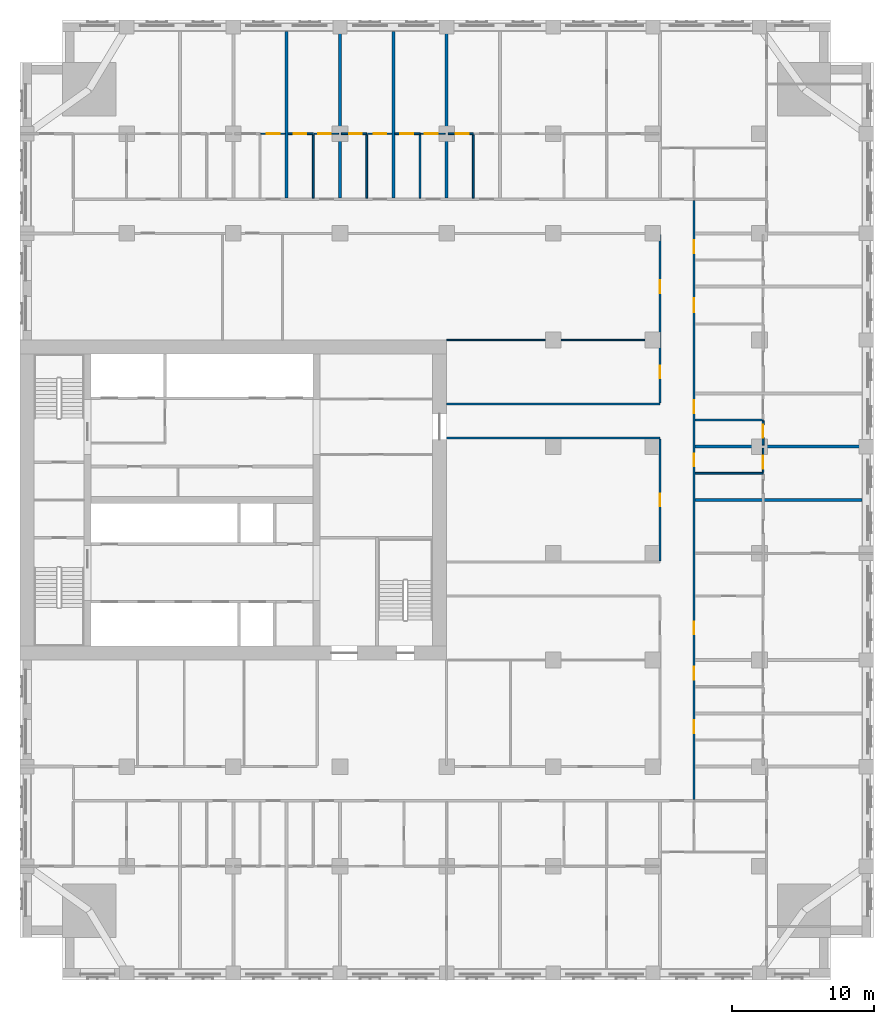
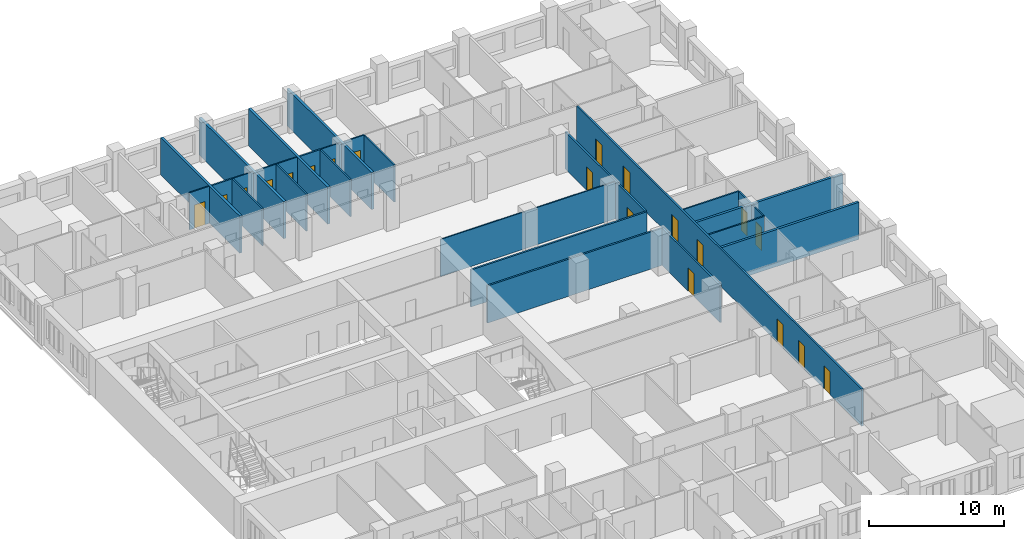
# One storey, part 10 of 15: 28 walls, 20 doors, 20 openings.
"""IFC4 building model written with IfcOpenShell, lengths in metres."""

from ifc_helpers import new_model, si_unit, direction, frame, frame_2d, origin, place, context, subcontext, project, spatial, rectangle, extrude, material, layer, layer_set, type_object, element, fill, save


model = new_model("IFC4")

# Units and contexts
model_context = context("Model", 3, precision=1e-05, world=origin(), true_north=direction((0.0, 1.0)))
body_context = subcontext(model_context, "Body", "Model", "MODEL_VIEW")
ifc_project = project(units=[si_unit("LENGTHUNIT", "METRE"), si_unit("AREAUNIT", "SQUARE_METRE"), si_unit("VOLUMEUNIT", "CUBIC_METRE"), si_unit("PLANEANGLEUNIT", "RADIAN"), si_unit("MASSUNIT", "GRAM", prefix="KILO")], contexts=[model_context])

# Site, building, storey
site_placement = place(None, origin())
site = spatial("IfcSite", under=ifc_project, at=site_placement, CompositionType="ELEMENT")
building_placement = place(site_placement, origin())
building = spatial("IfcBuilding", under=site, at=building_placement, Name="Tamorin Gate", CompositionType="ELEMENT")
storey_placement = place(building_placement, frame((0.0, 0.0, 111.5)))
storey = spatial("IfcBuildingStorey", under=building, at=storey_placement, Name="L27", CompositionType="ELEMENT", Elevation=111.5)

# Wall, opening, door
ifc_material_1 = material(Name="Gypsum board partition")
ifc_layer_1 = layer(ifc_material_1, 0.14990234375)
ifc_layer_set_1 = layer_set([ifc_layer_1], Name="Corridor wall 150")
wall_type_1 = type_object("IfcWallType", Name="Corridor wall 150", PredefinedType="PARTITIONING", material=ifc_layer_set_1)
wall_1_placement = place(storey_placement, frame((75.0, 66.97509765625, 0.0), z_axis=(0.0, 0.0, 1.0), x_axis=(0.0, 1.0, 0.0)))
wall_1 = element("IfcWall", 1, at=wall_1_placement, inside=storey, type_object=wall_type_1, Name="Corridor wall 150", PredefinedType="PARTITIONING", context=body_context, shape_type="SweptSolid", body=[
    extrude(rectangle(XDim=8.5498046875, YDim=0.14990234375, at=frame_2d((4.27490234375, 0.0))), origin(), (0.0, 0.0, 1.0), 3.35009765625),
])
opening_1_placement = place(wall_1_placement, frame((3.824951171875, 0.0, 0.0)))
opening_1 = element("IfcOpeningElement", 2, at=opening_1_placement, cuts=wall_1, Name="Opening DH6096", PredefinedType="OPENING", context=body_context, shape_type="SweptSolid", body=[
    extrude(rectangle(XDim=0.89990234375, YDim=2.10009765625, at=frame_2d((0.449951171875, 1.050048828125))), frame((0.0, 0.0849609375, 0.0), z_axis=(0.0, -1.0, 0.0), x_axis=(1.0, 0.0, 0.0)), (0.0, 0.0, 1.0), 0.169921875),
])
ifc_material_2 = material(Name="Timber door leaf", Category="wood")
door_type_1 = type_object("IfcDoorType", Name="Door 900 x 2100 FD30S", OperationType="NOTDEFINED", PredefinedType="DOOR", material=ifc_material_2)
door_1_placement = place(opening_1_placement, origin())
door_1 = element("IfcDoor", 3, at=door_1_placement, inside=storey, type_object=door_type_1, Name="Door DH6096", OperationType="SINGLE_SWING_LEFT", OverallHeight=2.10009765625, OverallWidth=0.89990234375, PredefinedType="DOOR", context=body_context, shape_type="SweptSolid", body=[
    extrude(rectangle(XDim=0.89990234375, YDim=2.10009765625, at=frame_2d((0.449951171875, 1.050048828125))), frame((0.0, 0.02490234375, 0.0), z_axis=(0.0, -1.0, 0.0), x_axis=(1.0, 0.0, 0.0)), (0.0, 0.0, 1.0), 0.050048828125),
])
fill(opening_1, door_1)

# Wall, openings, doors
wall_2_placement = place(storey_placement, frame((75.0, 78.074951171875, 0.0), z_axis=(0.0, 0.0, 1.0), x_axis=(0.0, 1.0, 0.0)))
wall_2 = element("IfcWall", 4, at=wall_2_placement, inside=storey, type_object=wall_type_1, Name="Corridor wall 150", PredefinedType="PARTITIONING", context=body_context, shape_type="SweptSolid", body=[
    extrude(rectangle(XDim=11.85009765625, YDim=0.14990234375, at=frame_2d((5.925048828125, 0.0))), origin(), (0.0, 0.0, 1.0), 3.35009765625),
])
opening_2_placement = place(wall_2_placement, frame((7.72509765625, 0.0, 0.0)))
opening_2 = element("IfcOpeningElement", 5, at=opening_2_placement, cuts=wall_2, Name="Opening DH6094", PredefinedType="OPENING", context=body_context, shape_type="SweptSolid", body=[
    extrude(rectangle(XDim=0.89990234375, YDim=2.10009765625, at=frame_2d((0.449951171875, 1.050048828125))), frame((0.0, 0.0849609375, 0.0), z_axis=(0.0, -1.0, 0.0), x_axis=(1.0, 0.0, 0.0)), (0.0, 0.0, 1.0), 0.169921875),
])
opening_3_placement = place(wall_2_placement, frame((1.72509765625, 0.0, 0.0)))
opening_3 = element("IfcOpeningElement", 6, at=opening_3_placement, cuts=wall_2, Name="Opening DH6097", PredefinedType="OPENING", context=body_context, shape_type="SweptSolid", body=[
    extrude(rectangle(XDim=0.89990234375, YDim=2.10009765625, at=frame_2d((0.449951171875, 1.050048828125))), frame((0.0, 0.0849609375, 0.0), z_axis=(0.0, -1.0, 0.0), x_axis=(1.0, 0.0, 0.0)), (0.0, 0.0, 1.0), 0.169921875),
])
door_2_placement = place(opening_2_placement, origin())
door_2 = element("IfcDoor", 7, at=door_2_placement, inside=storey, type_object=door_type_1, Name="Door DH6094", OperationType="SINGLE_SWING_LEFT", OverallHeight=2.10009765625, OverallWidth=0.89990234375, PredefinedType="DOOR", context=body_context, shape_type="SweptSolid", body=[
    extrude(rectangle(XDim=0.89990234375, YDim=2.10009765625, at=frame_2d((0.449951171875, 1.050048828125))), frame((0.0, 0.02490234375, 0.0), z_axis=(0.0, -1.0, 0.0), x_axis=(1.0, 0.0, 0.0)), (0.0, 0.0, 1.0), 0.050048828125),
])
fill(opening_2, door_2)
door_3_placement = place(opening_3_placement, origin())
door_3 = element("IfcDoor", 8, at=door_3_placement, inside=storey, type_object=door_type_1, Name="Door DH6097", OperationType="SINGLE_SWING_LEFT", OverallHeight=2.10009765625, OverallWidth=0.89990234375, PredefinedType="DOOR", context=body_context, shape_type="SweptSolid", body=[
    extrude(rectangle(XDim=0.89990234375, YDim=2.10009765625, at=frame_2d((0.449951171875, 1.050048828125))), frame((0.0, 0.02490234375, 0.0), z_axis=(0.0, -1.0, 0.0), x_axis=(1.0, 0.0, 0.0)), (0.0, 0.0, 1.0), 0.050048828125),
])
fill(opening_3, door_3)

wall_3_placement = place(storey_placement, frame((77.39990234375, 50.175048828125, 0.0), z_axis=(0.0, 0.0, 1.0), x_axis=(0.0, 1.0, 0.0)))
wall_3 = element("IfcWall", 9, at=wall_3_placement, inside=storey, type_object=wall_type_1, Name="Corridor wall 150", PredefinedType="PARTITIONING", context=body_context, shape_type="SweptSolid", body=[
    extrude(rectangle(XDim=42.14990234375, YDim=0.14990234375, at=frame_2d((21.074951171875, 0.0))), origin(), (0.0, 0.0, 1.0), 3.35009765625),
])
opening_4_placement = place(wall_3_placement, frame((4.6875, 0.0, 0.0)))
opening_4 = element("IfcOpeningElement", 10, at=opening_4_placement, cuts=wall_3, Name="Opening DH6052", PredefinedType="OPENING", context=body_context, shape_type="SweptSolid", body=[
    extrude(rectangle(XDim=0.89990234375, YDim=2.10009765625, at=frame_2d((0.449951171875, 1.050048828125))), frame((0.0, 0.0849609375, 0.0), z_axis=(0.0, -1.0, 0.0), x_axis=(1.0, 0.0, 0.0)), (0.0, 0.0, 1.0), 0.169921875),
])
opening_5_placement = place(wall_3_placement, frame((8.4375, 0.0, 0.0)))
opening_5 = element("IfcOpeningElement", 11, at=opening_5_placement, cuts=wall_3, Name="Opening DH6055", PredefinedType="OPENING", context=body_context, shape_type="SweptSolid", body=[
    extrude(rectangle(XDim=0.89990234375, YDim=2.10009765625, at=frame_2d((0.449951171875, 1.050048828125))), frame((0.0, 0.0849609375, 0.0), z_axis=(0.0, -1.0, 0.0), x_axis=(1.0, 0.0, 0.0)), (0.0, 0.0, 1.0), 0.169921875),
])
opening_6_placement = place(wall_3_placement, frame((11.625, 0.0, 0.0)))
opening_6 = element("IfcOpeningElement", 12, at=opening_6_placement, cuts=wall_3, Name="Opening DH6057", PredefinedType="OPENING", context=body_context, shape_type="SweptSolid", body=[
    extrude(rectangle(XDim=0.89990234375, YDim=2.10009765625, at=frame_2d((0.449951171875, 1.050048828125))), frame((0.0, 0.0849609375, 0.0), z_axis=(0.0, -1.0, 0.0), x_axis=(1.0, 0.0, 0.0)), (0.0, 0.0, 1.0), 0.169921875),
])
opening_7_placement = place(wall_3_placement, frame((23.4375, 0.0, 0.0)))
opening_7 = element("IfcOpeningElement", 13, at=opening_7_placement, cuts=wall_3, Name="Opening DH6063", PredefinedType="OPENING", context=body_context, shape_type="SweptSolid", body=[
    extrude(rectangle(XDim=0.89990234375, YDim=2.10009765625, at=frame_2d((0.449951171875, 1.050048828125))), frame((0.0, 0.0849609375, 0.0), z_axis=(0.0, -1.0, 0.0), x_axis=(1.0, 0.0, 0.0)), (0.0, 0.0, 1.0), 0.169921875),
])
opening_8_placement = place(wall_3_placement, frame((27.1875, 0.0, 0.0)))
opening_8 = element("IfcOpeningElement", 14, at=opening_8_placement, cuts=wall_3, Name="Opening DH6066", PredefinedType="OPENING", context=body_context, shape_type="SweptSolid", body=[
    extrude(rectangle(XDim=0.89990234375, YDim=2.10009765625, at=frame_2d((0.449951171875, 1.050048828125))), frame((0.0, 0.0849609375, 0.0), z_axis=(0.0, -1.0, 0.0), x_axis=(1.0, 0.0, 0.0)), (0.0, 0.0, 1.0), 0.169921875),
])
opening_9_placement = place(wall_3_placement, frame((34.262451171875, 0.0, 0.0)))
opening_9 = element("IfcOpeningElement", 15, at=opening_9_placement, cuts=wall_3, Name="Opening DH6069", PredefinedType="OPENING", context=body_context, shape_type="SweptSolid", body=[
    extrude(rectangle(XDim=1.0, YDim=2.10009765625, at=frame_2d((0.5, 1.050048828125))), frame((0.0, 0.0849609375, 0.0), z_axis=(0.0, -1.0, 0.0), x_axis=(1.0, 0.0, 0.0)), (0.0, 0.0, 1.0), 0.169921875),
])
opening_10_placement = place(wall_3_placement, frame((38.4375, 0.0, 0.0)))
opening_10 = element("IfcOpeningElement", 16, at=opening_10_placement, cuts=wall_3, Name="Opening DH6072", PredefinedType="OPENING", context=body_context, shape_type="SweptSolid", body=[
    extrude(rectangle(XDim=0.89990234375, YDim=2.10009765625, at=frame_2d((0.449951171875, 1.050048828125))), frame((0.0, 0.0849609375, 0.0), z_axis=(0.0, -1.0, 0.0), x_axis=(1.0, 0.0, 0.0)), (0.0, 0.0, 1.0), 0.169921875),
])
door_type_2 = type_object("IfcDoorType", Name="Door 1000 x 2100 FD30S", OperationType="NOTDEFINED", PredefinedType="DOOR", material=ifc_material_2)
door_4_placement = place(opening_9_placement, origin())
door_4 = element("IfcDoor", 17, at=door_4_placement, inside=storey, type_object=door_type_2, Name="Door DH6069", OperationType="SINGLE_SWING_RIGHT", OverallHeight=2.10009765625, OverallWidth=1.0, PredefinedType="DOOR", context=body_context, shape_type="SweptSolid", body=[
    extrude(rectangle(XDim=1.0, YDim=2.10009765625, at=frame_2d((0.5, 1.050048828125))), frame((0.0, 0.02490234375, 0.0), z_axis=(0.0, -1.0, 0.0), x_axis=(1.0, 0.0, 0.0)), (0.0, 0.0, 1.0), 0.050048828125),
])
fill(opening_9, door_4)
door_5_placement = place(opening_4_placement, origin())
door_5 = element("IfcDoor", 18, at=door_5_placement, inside=storey, type_object=door_type_1, Name="Door DH6052", OperationType="SINGLE_SWING_RIGHT", OverallHeight=2.10009765625, OverallWidth=0.89990234375, PredefinedType="DOOR", context=body_context, shape_type="SweptSolid", body=[
    extrude(rectangle(XDim=0.89990234375, YDim=2.10009765625, at=frame_2d((0.449951171875, 1.050048828125))), frame((0.0, 0.02490234375, 0.0), z_axis=(0.0, -1.0, 0.0), x_axis=(1.0, 0.0, 0.0)), (0.0, 0.0, 1.0), 0.050048828125),
])
fill(opening_4, door_5)
door_6_placement = place(opening_5_placement, origin())
door_6 = element("IfcDoor", 19, at=door_6_placement, inside=storey, type_object=door_type_1, Name="Door DH6055", OperationType="SINGLE_SWING_RIGHT", OverallHeight=2.10009765625, OverallWidth=0.89990234375, PredefinedType="DOOR", context=body_context, shape_type="SweptSolid", body=[
    extrude(rectangle(XDim=0.89990234375, YDim=2.10009765625, at=frame_2d((0.449951171875, 1.050048828125))), frame((0.0, 0.02490234375, 0.0), z_axis=(0.0, -1.0, 0.0), x_axis=(1.0, 0.0, 0.0)), (0.0, 0.0, 1.0), 0.050048828125),
])
fill(opening_5, door_6)
door_7_placement = place(opening_6_placement, origin())
door_7 = element("IfcDoor", 20, at=door_7_placement, inside=storey, type_object=door_type_1, Name="Door DH6057", OperationType="SINGLE_SWING_RIGHT", OverallHeight=2.10009765625, OverallWidth=0.89990234375, PredefinedType="DOOR", context=body_context, shape_type="SweptSolid", body=[
    extrude(rectangle(XDim=0.89990234375, YDim=2.10009765625, at=frame_2d((0.449951171875, 1.050048828125))), frame((0.0, 0.02490234375, 0.0), z_axis=(0.0, -1.0, 0.0), x_axis=(1.0, 0.0, 0.0)), (0.0, 0.0, 1.0), 0.050048828125),
])
fill(opening_6, door_7)
door_8_placement = place(opening_7_placement, origin())
door_8 = element("IfcDoor", 21, at=door_8_placement, inside=storey, type_object=door_type_1, Name="Door DH6063", OperationType="SINGLE_SWING_RIGHT", OverallHeight=2.10009765625, OverallWidth=0.89990234375, PredefinedType="DOOR", context=body_context, shape_type="SweptSolid", body=[
    extrude(rectangle(XDim=0.89990234375, YDim=2.10009765625, at=frame_2d((0.449951171875, 1.050048828125))), frame((0.0, 0.02490234375, 0.0), z_axis=(0.0, -1.0, 0.0), x_axis=(1.0, 0.0, 0.0)), (0.0, 0.0, 1.0), 0.050048828125),
])
fill(opening_7, door_8)
door_9_placement = place(opening_8_placement, origin())
door_9 = element("IfcDoor", 22, at=door_9_placement, inside=storey, type_object=door_type_1, Name="Door DH6066", OperationType="SINGLE_SWING_RIGHT", OverallHeight=2.10009765625, OverallWidth=0.89990234375, PredefinedType="DOOR", context=body_context, shape_type="SweptSolid", body=[
    extrude(rectangle(XDim=0.89990234375, YDim=2.10009765625, at=frame_2d((0.449951171875, 1.050048828125))), frame((0.0, 0.02490234375, 0.0), z_axis=(0.0, -1.0, 0.0), x_axis=(1.0, 0.0, 0.0)), (0.0, 0.0, 1.0), 0.050048828125),
])
fill(opening_8, door_9)
door_10_placement = place(opening_10_placement, origin())
door_10 = element("IfcDoor", 23, at=door_10_placement, inside=storey, type_object=door_type_1, Name="Door DH6072", OperationType="SINGLE_SWING_RIGHT", OverallHeight=2.10009765625, OverallWidth=0.89990234375, PredefinedType="DOOR", context=body_context, shape_type="SweptSolid", body=[
    extrude(rectangle(XDim=0.89990234375, YDim=2.10009765625, at=frame_2d((0.449951171875, 1.050048828125))), frame((0.0, 0.02490234375, 0.0), z_axis=(0.0, -1.0, 0.0), x_axis=(1.0, 0.0, 0.0)), (0.0, 0.0, 1.0), 0.050048828125),
])
fill(opening_10, door_10)

# Walls
ifc_layer_2 = layer(ifc_material_1, 0.199951171875)
ifc_layer_set_2 = layer_set([ifc_layer_2], Name="Demising wall 200")
wall_type_2 = type_object("IfcWallType", Name="Demising wall 200", PredefinedType="PARTITIONING", material=ifc_layer_set_2)
wall_4_placement = place(storey_placement, frame((77.47509765625, 71.25, 0.0), z_axis=(0.0, 0.0, 1.0), x_axis=(1.0, 0.0, 0.0)))
element("IfcWall", 24, at=wall_4_placement, inside=storey, type_object=wall_type_2, Name="Demising wall 200", PredefinedType="PARTITIONING", context=body_context, shape_type="SweptSolid", body=[
    extrude(rectangle(XDim=11.71484375, YDim=0.199951171875, at=frame_2d((5.857421875, 0.0))), origin(), (0.0, 0.0, 1.0), 3.35009765625),
])
wall_5_placement = place(storey_placement, frame((77.47509765625, 75.0, 0.0), z_axis=(0.0, 0.0, 1.0), x_axis=(1.0, 0.0, 0.0)))
element("IfcWall", 25, at=wall_5_placement, inside=storey, type_object=wall_type_2, Name="Demising wall 200", PredefinedType="PARTITIONING", context=body_context, shape_type="SweptSolid", body=[
    extrude(rectangle(XDim=12.52490234375, YDim=0.199951171875, at=frame_2d((6.262451171875, 0.0))), origin(), (0.0, 0.0, 1.0), 3.35009765625),
])
wall_6_placement = place(storey_placement, frame((48.75, 92.47509765625, 0.0), z_axis=(0.0, 0.0, 1.0), x_axis=(0.0, 1.0, 0.0)))
element("IfcWall", 26, at=wall_6_placement, inside=storey, type_object=wall_type_2, Name="Demising wall 200", PredefinedType="PARTITIONING", context=body_context, shape_type="SweptSolid", body=[
    extrude(rectangle(XDim=11.71484375, YDim=0.199951171875, at=frame_2d((5.857421875, 0.0))), origin(), (0.0, 0.0, 1.0), 3.35009765625),
])
wall_7_placement = place(storey_placement, frame((52.5, 92.47509765625, 0.0), z_axis=(0.0, 0.0, 1.0), x_axis=(0.0, 1.0, 0.0)))
element("IfcWall", 27, at=wall_7_placement, inside=storey, type_object=wall_type_2, Name="Demising wall 200", PredefinedType="PARTITIONING", context=body_context, shape_type="SweptSolid", body=[
    extrude(rectangle(XDim=12.52490234375, YDim=0.199951171875, at=frame_2d((6.262451171875, 0.0))), origin(), (0.0, 0.0, 1.0), 3.35009765625),
])
wall_8_placement = place(storey_placement, frame((56.25, 92.47509765625, 0.0), z_axis=(0.0, 0.0, 1.0), x_axis=(0.0, 1.0, 0.0)))
element("IfcWall", 28, at=wall_8_placement, inside=storey, type_object=wall_type_2, Name="Demising wall 200", PredefinedType="PARTITIONING", context=body_context, shape_type="SweptSolid", body=[
    extrude(rectangle(XDim=11.71484375, YDim=0.199951171875, at=frame_2d((5.857421875, 0.0))), origin(), (0.0, 0.0, 1.0), 3.35009765625),
])
wall_9_placement = place(storey_placement, frame((60.0, 92.47509765625, 0.0), z_axis=(0.0, 0.0, 1.0), x_axis=(0.0, 1.0, 0.0)))
element("IfcWall", 29, at=wall_9_placement, inside=storey, type_object=wall_type_2, Name="Demising wall 200", PredefinedType="PARTITIONING", context=body_context, shape_type="SweptSolid", body=[
    extrude(rectangle(XDim=12.52490234375, YDim=0.199951171875, at=frame_2d((6.262451171875, 0.0))), origin(), (0.0, 0.0, 1.0), 3.35009765625),
])
ifc_layer_3 = layer(ifc_material_1, 0.14990234375)
ifc_layer_set_3 = layer_set([ifc_layer_3], Name="Lobby wall 150")
wall_type_3 = type_object("IfcWallType", Name="Lobby wall 150", PredefinedType="PARTITIONING", material=ifc_layer_set_3)
for number, where, z_axis, x_axis, name in (
    (30, (60.0, 75.60009765625, 0.0), (0.0, 0.0, 1.0), (1.0, 0.0, 0.0), "Lobby wall 150"),
    (31, (60.0, 78.0, 0.0), (0.0, 0.0, 1.0), (1.0, 0.0, 0.0), "Lobby wall 150"),
):
    element("IfcWall", number, at=place(storey_placement, frame(where, z_axis=z_axis, x_axis=x_axis)), inside=storey, type_object=wall_type_3, Name=name, PredefinedType="PARTITIONING", context=body_context, shape_type="SweptSolid", body=[
        extrude(rectangle(XDim=15.0, YDim=0.14990234375, at=frame_2d((7.5, 0.0))), origin(), (0.0, 0.0, 1.0), 3.35009765625),
    ])
ifc_layer_4 = layer(ifc_material_1, 0.10009765625)
ifc_layer_set_4 = layer_set([ifc_layer_4], Name="Room partition 100")
wall_type_4 = type_object("IfcWallType", Name="Room partition 100", PredefinedType="PARTITIONING", material=ifc_layer_set_4)
wall_10_placement = place(storey_placement, frame((60.0, 82.5, 0.0), z_axis=(0.0, 0.0, 1.0), x_axis=(1.0, 0.0, 0.0)))
element("IfcWall", 32, at=wall_10_placement, inside=storey, type_object=wall_type_4, Name="Room partition 100", PredefinedType="PARTITIONING", context=body_context, shape_type="SweptSolid", body=[
    extrude(rectangle(XDim=14.925048828125, YDim=0.10009765625, at=frame_2d((7.46240234375, 0.0))), origin(), (0.0, 0.0, 1.0), 3.35009765625),
])

# Wall, opening, door
wall_11_placement = place(storey_placement, frame((46.9375, 97.0, 0.0), z_axis=(0.0, 0.0, 1.0), x_axis=(1.0, 0.0, 0.0)))
wall_11 = element("IfcWall", 33, at=wall_11_placement, inside=storey, type_object=wall_type_4, Name="Room partition 100", PredefinedType="PARTITIONING", context=body_context, shape_type="SweptSolid", body=[
    extrude(rectangle(XDim=1.71240234375, YDim=0.10009765625, at=frame_2d((0.856201171875, 0.0))), origin(), (0.0, 0.0, 1.0), 3.35009765625),
])
opening_11_placement = place(wall_11_placement, frame((0.425048828125, 0.0, 0.0)))
opening_11 = element("IfcOpeningElement", 34, at=opening_11_placement, cuts=wall_11, Name="Opening DH6033", PredefinedType="OPENING", context=body_context, shape_type="SweptSolid", body=[
    extrude(rectangle(XDim=0.89990234375, YDim=2.10009765625, at=frame_2d((0.449951171875, 1.050048828125))), frame((0.0, 0.06005859375, 0.0), z_axis=(0.0, -1.0, 0.0), x_axis=(1.0, 0.0, 0.0)), (0.0, 0.0, 1.0), 0.1201171875),
])
door_type_3 = type_object("IfcDoorType", Name="Door 900 x 2100", OperationType="NOTDEFINED", PredefinedType="DOOR", material=ifc_material_2)
door_11_placement = place(opening_11_placement, origin())
door_11 = element("IfcDoor", 35, at=door_11_placement, inside=storey, type_object=door_type_3, Name="Door DH6033", OperationType="SINGLE_SWING_RIGHT", OverallHeight=2.10009765625, OverallWidth=0.89990234375, PredefinedType="DOOR", context=body_context, shape_type="SweptSolid", body=[
    extrude(rectangle(XDim=0.89990234375, YDim=2.10009765625, at=frame_2d((0.449951171875, 1.050048828125))), frame((0.0, 0.02490234375, 0.0), z_axis=(0.0, -1.0, 0.0), x_axis=(1.0, 0.0, 0.0)), (0.0, 0.0, 1.0), 0.050048828125),
])
fill(opening_11, door_11)

wall_12_placement = place(storey_placement, frame((50.6875, 97.0, 0.0), z_axis=(0.0, 0.0, 1.0), x_axis=(1.0, 0.0, 0.0)))
wall_12 = element("IfcWall", 36, at=wall_12_placement, inside=storey, type_object=wall_type_4, Name="Room partition 100", PredefinedType="PARTITIONING", context=body_context, shape_type="SweptSolid", body=[
    extrude(rectangle(XDim=1.71240234375, YDim=0.10009765625, at=frame_2d((0.856201171875, 0.0))), origin(), (0.0, 0.0, 1.0), 3.35009765625),
])
opening_12_placement = place(wall_12_placement, frame((0.27490234375, 0.0, 0.0)))
opening_12 = element("IfcOpeningElement", 37, at=opening_12_placement, cuts=wall_12, Name="Opening DH6036", PredefinedType="OPENING", context=body_context, shape_type="SweptSolid", body=[
    extrude(rectangle(XDim=0.89990234375, YDim=2.10009765625, at=frame_2d((0.449951171875, 1.050048828125))), frame((0.0, 0.06005859375, 0.0), z_axis=(0.0, -1.0, 0.0), x_axis=(1.0, 0.0, 0.0)), (0.0, 0.0, 1.0), 0.1201171875),
])
door_12_placement = place(opening_12_placement, origin())
door_12 = element("IfcDoor", 38, at=door_12_placement, inside=storey, type_object=door_type_3, Name="Door DH6036", OperationType="SINGLE_SWING_RIGHT", OverallHeight=2.10009765625, OverallWidth=0.89990234375, PredefinedType="DOOR", context=body_context, shape_type="SweptSolid", body=[
    extrude(rectangle(XDim=0.89990234375, YDim=2.10009765625, at=frame_2d((0.449951171875, 1.050048828125))), frame((0.0, 0.02490234375, 0.0), z_axis=(0.0, -1.0, 0.0), x_axis=(1.0, 0.0, 0.0)), (0.0, 0.0, 1.0), 0.050048828125),
])
fill(opening_12, door_12)

wall_13_placement = place(storey_placement, frame((54.4375, 97.0, 0.0), z_axis=(0.0, 0.0, 1.0), x_axis=(1.0, 0.0, 0.0)))
wall_13 = element("IfcWall", 39, at=wall_13_placement, inside=storey, type_object=wall_type_4, Name="Room partition 100", PredefinedType="PARTITIONING", context=body_context, shape_type="SweptSolid", body=[
    extrude(rectangle(XDim=1.71240234375, YDim=0.10009765625, at=frame_2d((0.856201171875, 0.0))), origin(), (0.0, 0.0, 1.0), 3.35009765625),
])
opening_13_placement = place(wall_13_placement, frame((0.425048828125, 0.0, 0.0)))
opening_13 = element("IfcOpeningElement", 40, at=opening_13_placement, cuts=wall_13, Name="Opening DH6039", PredefinedType="OPENING", context=body_context, shape_type="SweptSolid", body=[
    extrude(rectangle(XDim=0.89990234375, YDim=2.10009765625, at=frame_2d((0.449951171875, 1.050048828125))), frame((0.0, 0.06005859375, 0.0), z_axis=(0.0, -1.0, 0.0), x_axis=(1.0, 0.0, 0.0)), (0.0, 0.0, 1.0), 0.1201171875),
])
door_13_placement = place(opening_13_placement, origin())
door_13 = element("IfcDoor", 41, at=door_13_placement, inside=storey, type_object=door_type_3, Name="Door DH6039", OperationType="SINGLE_SWING_RIGHT", OverallHeight=2.10009765625, OverallWidth=0.89990234375, PredefinedType="DOOR", context=body_context, shape_type="SweptSolid", body=[
    extrude(rectangle(XDim=0.89990234375, YDim=2.10009765625, at=frame_2d((0.449951171875, 1.050048828125))), frame((0.0, 0.02490234375, 0.0), z_axis=(0.0, -1.0, 0.0), x_axis=(1.0, 0.0, 0.0)), (0.0, 0.0, 1.0), 0.050048828125),
])
fill(opening_13, door_13)

wall_14_placement = place(storey_placement, frame((58.1875, 97.0, 0.0), z_axis=(0.0, 0.0, 1.0), x_axis=(1.0, 0.0, 0.0)))
wall_14 = element("IfcWall", 42, at=wall_14_placement, inside=storey, type_object=wall_type_4, Name="Room partition 100", PredefinedType="PARTITIONING", context=body_context, shape_type="SweptSolid", body=[
    extrude(rectangle(XDim=1.71240234375, YDim=0.10009765625, at=frame_2d((0.856201171875, 0.0))), origin(), (0.0, 0.0, 1.0), 3.35009765625),
])
opening_14_placement = place(wall_14_placement, frame((0.27490234375, 0.0, 0.0)))
opening_14 = element("IfcOpeningElement", 43, at=opening_14_placement, cuts=wall_14, Name="Opening DH6042", PredefinedType="OPENING", context=body_context, shape_type="SweptSolid", body=[
    extrude(rectangle(XDim=0.89990234375, YDim=2.10009765625, at=frame_2d((0.449951171875, 1.050048828125))), frame((0.0, 0.06005859375, 0.0), z_axis=(0.0, -1.0, 0.0), x_axis=(1.0, 0.0, 0.0)), (0.0, 0.0, 1.0), 0.1201171875),
])
door_14_placement = place(opening_14_placement, origin())
door_14 = element("IfcDoor", 44, at=door_14_placement, inside=storey, type_object=door_type_3, Name="Door DH6042", OperationType="SINGLE_SWING_RIGHT", OverallHeight=2.10009765625, OverallWidth=0.89990234375, PredefinedType="DOOR", context=body_context, shape_type="SweptSolid", body=[
    extrude(rectangle(XDim=0.89990234375, YDim=2.10009765625, at=frame_2d((0.449951171875, 1.050048828125))), frame((0.0, 0.02490234375, 0.0), z_axis=(0.0, -1.0, 0.0), x_axis=(1.0, 0.0, 0.0)), (0.0, 0.0, 1.0), 0.050048828125),
])
fill(opening_14, door_14)

wall_15_placement = place(storey_placement, frame((82.25, 73.1875, 0.0), z_axis=(0.0, 0.0, 1.0), x_axis=(0.0, 1.0, 0.0)))
wall_15 = element("IfcWall", 45, at=wall_15_placement, inside=storey, type_object=wall_type_4, Name="Room partition 100", PredefinedType="PARTITIONING", context=body_context, shape_type="SweptSolid", body=[
    extrude(rectangle(XDim=1.71240234375, YDim=0.10009765625, at=frame_2d((0.856201171875, 0.0))), origin(), (0.0, 0.0, 1.0), 3.35009765625),
])
opening_15_placement = place(wall_15_placement, frame((0.27490234375, 0.0, 0.0)))
opening_15 = element("IfcOpeningElement", 46, at=opening_15_placement, cuts=wall_15, Name="Opening DH6064", PredefinedType="OPENING", context=body_context, shape_type="SweptSolid", body=[
    extrude(rectangle(XDim=0.89990234375, YDim=2.10009765625, at=frame_2d((0.449951171875, 1.050048828125))), frame((0.0, 0.06005859375, 0.0), z_axis=(0.0, -1.0, 0.0), x_axis=(1.0, 0.0, 0.0)), (0.0, 0.0, 1.0), 0.1201171875),
])
door_15_placement = place(opening_15_placement, origin())
door_15 = element("IfcDoor", 47, at=door_15_placement, inside=storey, type_object=door_type_3, Name="Door DH6064", OperationType="SINGLE_SWING_LEFT", OverallHeight=2.10009765625, OverallWidth=0.89990234375, PredefinedType="DOOR", context=body_context, shape_type="SweptSolid", body=[
    extrude(rectangle(XDim=0.89990234375, YDim=2.10009765625, at=frame_2d((0.449951171875, 1.050048828125))), frame((0.0, 0.02490234375, 0.0), z_axis=(0.0, -1.0, 0.0), x_axis=(1.0, 0.0, 0.0)), (0.0, 0.0, 1.0), 0.050048828125),
])
fill(opening_15, door_15)

# Walls
ifc_layer_5 = layer(ifc_material_1, 0.125)
ifc_layer_set_5 = layer_set([ifc_layer_5], Name="Wet wall 125")
wall_type_5 = type_object("IfcWallType", Name="Wet wall 125", PredefinedType="PARTITIONING", material=ifc_layer_set_5)
for number, where, z_axis, x_axis, name in (
    (48, (77.47509765625, 73.125, 0.0), (0.0, 0.0, 1.0), (1.0, 0.0, 0.0), "Wet wall 125"),
    (49, (77.47509765625, 76.875, 0.0), (0.0, 0.0, 1.0), (1.0, 0.0, 0.0), "Wet wall 125"),
):
    element("IfcWall", number, at=place(storey_placement, frame(where, z_axis=z_axis, x_axis=x_axis)), inside=storey, type_object=wall_type_5, Name=name, PredefinedType="PARTITIONING", context=body_context, shape_type="SweptSolid", body=[
        extrude(rectangle(XDim=4.77490234375, YDim=0.125, at=frame_2d((2.387451171875, 0.0))), origin(), (0.0, 0.0, 1.0), 3.35009765625),
    ])

# Wall, opening, door
wall_16_placement = place(storey_placement, frame((48.85009765625, 97.0, 0.0), z_axis=(0.0, 0.0, 1.0), x_axis=(1.0, 0.0, 0.0)))
wall_16 = element("IfcWall", 50, at=wall_16_placement, inside=storey, type_object=wall_type_5, Name="Wet wall 125", PredefinedType="PARTITIONING", context=body_context, shape_type="SweptSolid", body=[
    extrude(rectangle(XDim=1.77490234375, YDim=0.125, at=frame_2d((0.887451171875, 0.0))), origin(), (0.0, 0.0, 1.0), 3.35009765625),
])
opening_16_placement = place(wall_16_placement, frame((0.387451171875, 0.0, 0.0)))
opening_16 = element("IfcOpeningElement", 51, at=opening_16_placement, cuts=wall_16, Name="Opening DH6034", PredefinedType="OPENING", context=body_context, shape_type="SweptSolid", body=[
    extrude(rectangle(XDim=0.89990234375, YDim=2.10009765625, at=frame_2d((0.449951171875, 1.050048828125))), frame((0.0, 0.072509765625, 0.0), z_axis=(0.0, -1.0, 0.0), x_axis=(1.0, 0.0, 0.0)), (0.0, 0.0, 1.0), 0.14501953125),
])
door_16_placement = place(opening_16_placement, origin())
door_16 = element("IfcDoor", 52, at=door_16_placement, inside=storey, type_object=door_type_3, Name="Door DH6034", OperationType="SINGLE_SWING_RIGHT", OverallHeight=2.10009765625, OverallWidth=0.89990234375, PredefinedType="DOOR", context=body_context, shape_type="SweptSolid", body=[
    extrude(rectangle(XDim=0.89990234375, YDim=2.10009765625, at=frame_2d((0.449951171875, 1.050048828125))), frame((0.0, 0.02490234375, 0.0), z_axis=(0.0, -1.0, 0.0), x_axis=(1.0, 0.0, 0.0)), (0.0, 0.0, 1.0), 0.050048828125),
])
fill(opening_16, door_16)

wall_17_placement = place(storey_placement, frame((52.60009765625, 97.0, 0.0), z_axis=(0.0, 0.0, 1.0), x_axis=(1.0, 0.0, 0.0)))
wall_17 = element("IfcWall", 53, at=wall_17_placement, inside=storey, type_object=wall_type_5, Name="Wet wall 125", PredefinedType="PARTITIONING", context=body_context, shape_type="SweptSolid", body=[
    extrude(rectangle(XDim=1.77490234375, YDim=0.125, at=frame_2d((0.887451171875, 0.0))), origin(), (0.0, 0.0, 1.0), 3.35009765625),
])
opening_17_placement = place(wall_17_placement, frame((0.53759765625, 0.0, 0.0)))
opening_17 = element("IfcOpeningElement", 54, at=opening_17_placement, cuts=wall_17, Name="Opening DH6037", PredefinedType="OPENING", context=body_context, shape_type="SweptSolid", body=[
    extrude(rectangle(XDim=0.89990234375, YDim=2.10009765625, at=frame_2d((0.449951171875, 1.050048828125))), frame((0.0, 0.072509765625, 0.0), z_axis=(0.0, -1.0, 0.0), x_axis=(1.0, 0.0, 0.0)), (0.0, 0.0, 1.0), 0.14501953125),
])
door_17_placement = place(opening_17_placement, origin())
door_17 = element("IfcDoor", 55, at=door_17_placement, inside=storey, type_object=door_type_3, Name="Door DH6037", OperationType="SINGLE_SWING_LEFT", OverallHeight=2.10009765625, OverallWidth=0.89990234375, PredefinedType="DOOR", context=body_context, shape_type="SweptSolid", body=[
    extrude(rectangle(XDim=0.89990234375, YDim=2.10009765625, at=frame_2d((0.449951171875, 1.050048828125))), frame((0.0, 0.02490234375, 0.0), z_axis=(0.0, -1.0, 0.0), x_axis=(1.0, 0.0, 0.0)), (0.0, 0.0, 1.0), 0.050048828125),
])
fill(opening_17, door_17)

wall_18_placement = place(storey_placement, frame((56.35009765625, 97.0, 0.0), z_axis=(0.0, 0.0, 1.0), x_axis=(1.0, 0.0, 0.0)))
wall_18 = element("IfcWall", 56, at=wall_18_placement, inside=storey, type_object=wall_type_5, Name="Wet wall 125", PredefinedType="PARTITIONING", context=body_context, shape_type="SweptSolid", body=[
    extrude(rectangle(XDim=1.77490234375, YDim=0.125, at=frame_2d((0.887451171875, 0.0))), origin(), (0.0, 0.0, 1.0), 3.35009765625),
])
opening_18_placement = place(wall_18_placement, frame((0.387451171875, 0.0, 0.0)))
opening_18 = element("IfcOpeningElement", 57, at=opening_18_placement, cuts=wall_18, Name="Opening DH6040", PredefinedType="OPENING", context=body_context, shape_type="SweptSolid", body=[
    extrude(rectangle(XDim=0.89990234375, YDim=2.10009765625, at=frame_2d((0.449951171875, 1.050048828125))), frame((0.0, 0.072509765625, 0.0), z_axis=(0.0, -1.0, 0.0), x_axis=(1.0, 0.0, 0.0)), (0.0, 0.0, 1.0), 0.14501953125),
])
door_18_placement = place(opening_18_placement, origin())
door_18 = element("IfcDoor", 58, at=door_18_placement, inside=storey, type_object=door_type_3, Name="Door DH6040", OperationType="SINGLE_SWING_RIGHT", OverallHeight=2.10009765625, OverallWidth=0.89990234375, PredefinedType="DOOR", context=body_context, shape_type="SweptSolid", body=[
    extrude(rectangle(XDim=0.89990234375, YDim=2.10009765625, at=frame_2d((0.449951171875, 1.050048828125))), frame((0.0, 0.02490234375, 0.0), z_axis=(0.0, -1.0, 0.0), x_axis=(1.0, 0.0, 0.0)), (0.0, 0.0, 1.0), 0.050048828125),
])
fill(opening_18, door_18)

wall_19_placement = place(storey_placement, frame((60.10009765625, 97.0, 0.0), z_axis=(0.0, 0.0, 1.0), x_axis=(1.0, 0.0, 0.0)))
wall_19 = element("IfcWall", 59, at=wall_19_placement, inside=storey, type_object=wall_type_5, Name="Wet wall 125", PredefinedType="PARTITIONING", context=body_context, shape_type="SweptSolid", body=[
    extrude(rectangle(XDim=1.77490234375, YDim=0.125, at=frame_2d((0.887451171875, 0.0))), origin(), (0.0, 0.0, 1.0), 3.35009765625),
])
opening_19_placement = place(wall_19_placement, frame((0.53759765625, 0.0, 0.0)))
opening_19 = element("IfcOpeningElement", 60, at=opening_19_placement, cuts=wall_19, Name="Opening DH6043", PredefinedType="OPENING", context=body_context, shape_type="SweptSolid", body=[
    extrude(rectangle(XDim=0.89990234375, YDim=2.10009765625, at=frame_2d((0.449951171875, 1.050048828125))), frame((0.0, 0.072509765625, 0.0), z_axis=(0.0, -1.0, 0.0), x_axis=(1.0, 0.0, 0.0)), (0.0, 0.0, 1.0), 0.14501953125),
])
door_19_placement = place(opening_19_placement, origin())
door_19 = element("IfcDoor", 61, at=door_19_placement, inside=storey, type_object=door_type_3, Name="Door DH6043", OperationType="SINGLE_SWING_LEFT", OverallHeight=2.10009765625, OverallWidth=0.89990234375, PredefinedType="DOOR", context=body_context, shape_type="SweptSolid", body=[
    extrude(rectangle(XDim=0.89990234375, YDim=2.10009765625, at=frame_2d((0.449951171875, 1.050048828125))), frame((0.0, 0.02490234375, 0.0), z_axis=(0.0, -1.0, 0.0), x_axis=(1.0, 0.0, 0.0)), (0.0, 0.0, 1.0), 0.050048828125),
])
fill(opening_19, door_19)

# Walls
for number, where, z_axis, x_axis, name in (
    (62, (50.625, 92.47509765625, 0.0), (0.0, 0.0, 1.0), (0.0, 1.0, 0.0), "Wet wall 125"),
    (63, (54.375, 92.47509765625, 0.0), (0.0, 0.0, 1.0), (0.0, 1.0, 0.0), "Wet wall 125"),
    (64, (58.125, 92.47509765625, 0.0), (0.0, 0.0, 1.0), (0.0, 1.0, 0.0), "Wet wall 125"),
    (65, (61.875, 92.47509765625, 0.0), (0.0, 0.0, 1.0), (0.0, 1.0, 0.0), "Wet wall 125"),
):
    element("IfcWall", number, at=place(storey_placement, frame(where, z_axis=z_axis, x_axis=x_axis)), inside=storey, type_object=wall_type_5, Name=name, PredefinedType="PARTITIONING", context=body_context, shape_type="SweptSolid", body=[
        extrude(rectangle(XDim=4.46240234375, YDim=0.125, at=frame_2d((2.231201171875, 0.0))), origin(), (0.0, 0.0, 1.0), 3.35009765625),
    ])

# Wall, opening, door
wall_20_placement = place(storey_placement, frame((82.25, 75.10009765625, 0.0), z_axis=(0.0, 0.0, 1.0), x_axis=(0.0, 1.0, 0.0)))
wall_20 = element("IfcWall", 66, at=wall_20_placement, inside=storey, type_object=wall_type_5, Name="Wet wall 125", PredefinedType="PARTITIONING", context=body_context, shape_type="SweptSolid", body=[
    extrude(rectangle(XDim=1.71240234375, YDim=0.125, at=frame_2d((0.856201171875, 0.0))), origin(), (0.0, 0.0, 1.0), 3.35009765625),
])
opening_20_placement = place(wall_20_placement, frame((0.53759765625, 0.0, 0.0)))
opening_20 = element("IfcOpeningElement", 67, at=opening_20_placement, cuts=wall_20, Name="Opening DH6065", PredefinedType="OPENING", context=body_context, shape_type="SweptSolid", body=[
    extrude(rectangle(XDim=0.89990234375, YDim=2.10009765625, at=frame_2d((0.449951171875, 1.050048828125))), frame((0.0, 0.072509765625, 0.0), z_axis=(0.0, -1.0, 0.0), x_axis=(1.0, 0.0, 0.0)), (0.0, 0.0, 1.0), 0.14501953125),
])
door_20_placement = place(opening_20_placement, origin())
door_20 = element("IfcDoor", 68, at=door_20_placement, inside=storey, type_object=door_type_3, Name="Door DH6065", OperationType="SINGLE_SWING_RIGHT", OverallHeight=2.10009765625, OverallWidth=0.89990234375, PredefinedType="DOOR", context=body_context, shape_type="SweptSolid", body=[
    extrude(rectangle(XDim=0.89990234375, YDim=2.10009765625, at=frame_2d((0.449951171875, 1.050048828125))), frame((0.0, 0.02490234375, 0.0), z_axis=(0.0, -1.0, 0.0), x_axis=(1.0, 0.0, 0.0)), (0.0, 0.0, 1.0), 0.050048828125),
])
fill(opening_20, door_20)

save(model, "model.ifc")
